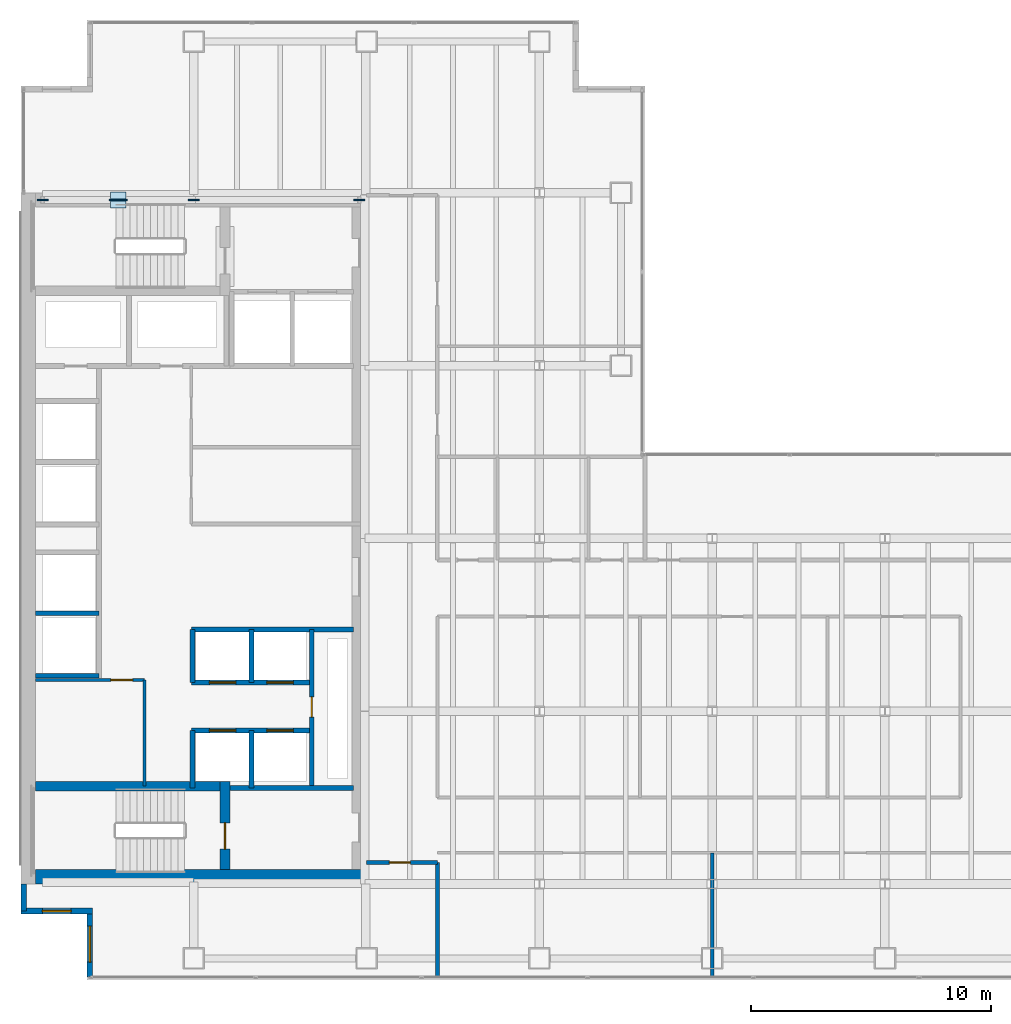
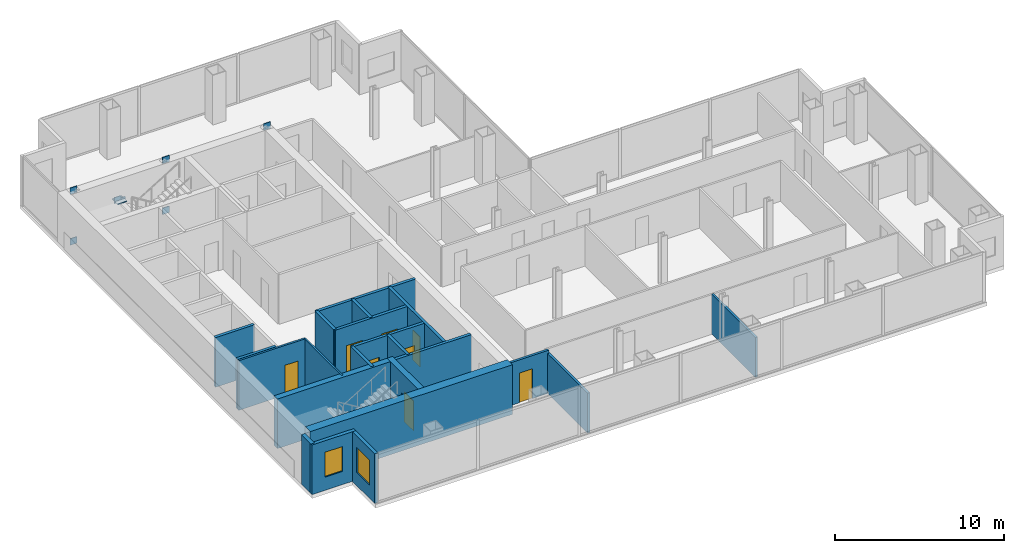
# One storey, part 20 of 24: 22 walls, 8 doors, 8 plates, 2 windows, 10 openings.
"""IFC4 building model written with IfcOpenShell, lengths in metres."""

from ifc_helpers import new_model, si_unit, direction, frame, frame_2d, origin, origin_2d, place, context, subcontext, project, spatial, rectangle, extrude, material, layer, layer_set, type_object, element, fill, save


model = new_model("IFC4")

# Units and contexts
model_context = context("Model", 3, precision=1e-05, world=origin(), true_north=direction((0.0, 1.0)))
body_context = subcontext(model_context, "Body", "Model", "MODEL_VIEW")
ifc_project = project(units=[si_unit("LENGTHUNIT", "METRE"), si_unit("AREAUNIT", "SQUARE_METRE"), si_unit("VOLUMEUNIT", "CUBIC_METRE"), si_unit("PLANEANGLEUNIT", "RADIAN"), si_unit("MASSUNIT", "GRAM", prefix="KILO")], contexts=[model_context])

# Site, building, storey
site_placement = place(None, origin())
site = spatial("IfcSite", under=ifc_project, at=site_placement, CompositionType="ELEMENT")
building_placement = place(site_placement, origin())
building = spatial("IfcBuilding", under=site, at=building_placement, Name="Cobrela Telecom Tower", CompositionType="ELEMENT")
storey_placement = place(building_placement, frame((0.0, 0.0, 121.449951171875)))
storey = spatial("IfcBuildingStorey", under=building, at=storey_placement, Name="L30", CompositionType="ELEMENT", Elevation=121.449951171875)

# Plates
ifc_material_1 = material(Name="Steel ASTM A572 Grade 50", Category="steel")
ifc_layer_1 = layer(ifc_material_1, 0.0419921875)
ifc_layer_set_1 = layer_set([ifc_layer_1], Name="Steel ASTM A572 Grade 50")
plate_type = type_object("IfcPlateType", Name="PLT-NODE-ND1", PredefinedType="USERDEFINED", material=ifc_layer_set_1)
for number, where, z_axis, x_axis, name in (
    (1, (0.89990234375, 35.699951171875, -0.27001953125), (0.0, 0.0, 1.0), (1.0, 0.0, 0.0), "Steel node plate PLT-MBR-EXO-L30-N1-A-0"),
    (2, (7.199951171875, 35.699951171875, 3.39013671875), (0.0, 0.0, 1.0), (1.0, 0.0, 0.0), "Steel node plate PLT-MBR-EXO-L30-N1-A-1"),
    (3, (7.199951171875, 35.699951171875, -0.27001953125), (0.0, 0.0, 1.0), (-1.0, 0.0, 0.0), "Steel node plate PLT-MBR-EXO-L30-N1-B1-0"),
    (4, (4.1953125, 35.699951171875, 1.4755859375), (0.0, 0.0, 1.0), (-1.0, 0.0, 0.0), "Steel node plate PLT-MBR-EXO-L30-N1-B1-1"),
    (5, (3.90478515625, 35.699951171875, 1.64453125), (0.0, 0.0, 1.0), (-1.0, 0.0, 0.0), "Steel node plate PLT-MBR-EXO-L30-N1-B2-0"),
    (6, (0.89990234375, 35.699951171875, 3.39013671875), (0.0, 0.0, 1.0), (-1.0, 0.0, 0.0), "Steel node plate PLT-MBR-EXO-L30-N1-B2-1"),
):
    element("IfcPlate", number, at=place(storey_placement, frame(where, z_axis=z_axis, x_axis=x_axis)), inside=storey, type_object=plate_type, Name=name, ObjectType="GUSSET PLATE", PredefinedType="USERDEFINED", context=body_context, shape_type="SweptSolid", body=[
        extrude(rectangle(XDim=0.4599609375, YDim=0.044921875, at=origin_2d()), origin(), (0.0, 0.0, 1.0), 0.4599609375),
    ])
plate_1_placement = place(storey_placement, frame((4.050048828125, 35.699951171875, 1.767578125), z_axis=(0.0, 0.0, 1.0), x_axis=(1.0, 0.0, 0.0)))
element("IfcPlate", 7, at=plate_1_placement, inside=storey, type_object=plate_type, Name="L30 Core Flange Steel X-Brace Central X-Crossing Gusset Plate", ObjectType="GUSSET PLATE", PredefinedType="USERDEFINED", context=body_context, shape_type="SweptSolid", body=[
    extrude(rectangle(XDim=0.64990234375, YDim=0.64990234375, at=origin_2d()), origin(), (0.0, 0.0, 1.0), 0.044921875),
])
plate_2_placement = place(storey_placement, frame((14.10009765625, 35.699951171875, 3.39013671875), z_axis=(0.0, 0.0, 1.0), x_axis=(1.0, 0.0, 0.0)))
element("IfcPlate", 8, at=plate_2_placement, inside=storey, type_object=plate_type, Name="Steel node plate PLT-MBR-EXO-L30-N2-1", ObjectType="GUSSET PLATE", PredefinedType="USERDEFINED", context=body_context, shape_type="SweptSolid", body=[
    extrude(rectangle(XDim=0.4599609375, YDim=0.044921875, at=origin_2d()), origin(), (0.0, 0.0, 1.0), 0.4599609375),
])

# Wall
ifc_material_2 = material(Name="Concrete C50/60", Category="concrete")
ifc_layer_2 = layer(ifc_material_2, 0.60009765625)
ifc_layer_set_2 = layer_set([ifc_layer_2], Name="Concrete C50/60")
wall_type_1 = type_object("IfcWallType", Name="WALL-CORE-C50-600", PredefinedType="SHEAR", material=ifc_layer_set_2)
wall_1_placement = place(storey_placement, frame((0.60009765625, 7.5, 0.0), z_axis=(0.0, 0.0, 1.0), x_axis=(1.0, 0.0, 0.0)))
element("IfcWall", 9, at=wall_1_placement, inside=storey, type_object=wall_type_1, Name="L30 South Core Shear Wall", PredefinedType="SHEAR", context=body_context, shape_type="SweptSolid", body=[
    extrude(rectangle(XDim=13.7998046875, YDim=0.60009765625, at=frame_2d((6.89990234375, 0.0))), origin(), (0.0, 0.0, 1.0), 3.580078125),
])

# Wall, opening, window
ifc_material_3 = material(Name="Concrete C40/50", Category="concrete")
ifc_layer_3 = layer(ifc_material_3, 0.239990234375)
ifc_layer_set_3 = layer_set([ifc_layer_3], Name="Concrete C40/50")
wall_type_2 = type_object("IfcWallType", Name="WALL-EXT-300", PredefinedType="STANDARD", material=ifc_layer_set_3)
wall_2_placement = place(storey_placement, frame((2.8701171875, 3.320068359375, 0.0), z_axis=(0.0, 0.0, 1.0), x_axis=(0.0, 1.0, 0.0)))
wall_2 = element("IfcWall", 10, at=wall_2_placement, inside=storey, type_object=wall_type_2, Name="L30 Insulated Facade Wall 01", PredefinedType="STANDARD", context=body_context, shape_type="SweptSolid", body=[
    extrude(rectangle(XDim=2.75, YDim=0.239990234375, at=frame_2d((1.375, 0.0))), origin(), (0.0, 0.0, 1.0), 3.580078125),
])
opening_1_placement = place(wall_2_placement, frame((0.625, 0.0, 0.949951171875)))
opening_1 = element("IfcOpeningElement", 11, at=opening_1_placement, cuts=wall_2, Name="Opening WN-45", PredefinedType="OPENING", context=body_context, shape_type="SweptSolid", body=[
    extrude(rectangle(XDim=1.5, YDim=1.800048828125, at=frame_2d((0.75, 0.89990234375))), frame((0.0, 0.1318359375, 0.0), z_axis=(0.0, -1.0, 0.0), x_axis=(1.0, 0.0, 0.0)), (0.0, 0.0, 1.0), 0.263916015625),
])
ifc_material_4 = material(Name="Solar-Control Bronze Low-E Glass", Category="glass")
window_type_1 = type_object("IfcWindowType", Name="WIN-MOD-1500", PartitioningType="SINGLE_PANEL", PredefinedType="WINDOW", material=ifc_material_4)
window_1_placement = place(opening_1_placement, origin())
window_1 = element("IfcWindow", 12, at=window_1_placement, inside=storey, type_object=window_type_1, Name="L30 Corner Notch Facade Window 140", OverallHeight=1.800048828125, OverallWidth=1.5, PartitioningType="SINGLE_PANEL", PredefinedType="WINDOW", context=body_context, shape_type="SweptSolid", body=[
    extrude(rectangle(XDim=1.5, YDim=1.800048828125, at=frame_2d((0.75, 0.89990234375))), frame((0.0, 0.030029296875, 0.0), z_axis=(0.0, -1.0, 0.0), x_axis=(1.0, 0.0, 0.0)), (0.0, 0.0, 1.0), 0.06005859375),
])
fill(opening_1, window_1)

wall_3_placement = place(storey_placement, frame((2.989990234375, 6.070068359375, 0.0), z_axis=(0.0, 0.0, 1.0), x_axis=(-1.0, 0.0, 0.0)))
wall_3 = element("IfcWall", 13, at=wall_3_placement, inside=storey, type_object=wall_type_2, Name="L30 Insulated Facade Wall 02", PredefinedType="STANDARD", context=body_context, shape_type="SweptSolid", body=[
    extrude(rectangle(XDim=2.989990234375, YDim=0.239990234375, at=frame_2d((1.4951171875, 0.0))), origin(), (0.0, 0.0, 1.0), 3.580078125),
])
opening_2_placement = place(wall_3_placement, frame((0.89501953125, 0.0, 0.949951171875)))
opening_2 = element("IfcOpeningElement", 14, at=opening_2_placement, cuts=wall_3, Name="Opening WN-19", PredefinedType="OPENING", context=body_context, shape_type="SweptSolid", body=[
    extrude(rectangle(XDim=1.199951171875, YDim=1.800048828125, at=frame_2d((0.60009765625, 0.89990234375))), frame((0.0, 0.1318359375, 0.0), z_axis=(0.0, -1.0, 0.0), x_axis=(1.0, 0.0, 0.0)), (0.0, 0.0, 1.0), 0.263916015625),
])
window_type_2 = type_object("IfcWindowType", Name="WIN-MOD-1200", PartitioningType="SINGLE_PANEL", PredefinedType="WINDOW", material=ifc_material_4)
window_2_placement = place(opening_2_placement, origin())
window_2 = element("IfcWindow", 15, at=window_2_placement, inside=storey, type_object=window_type_2, Name="L30 Corner Notch Facade Window 141", OverallHeight=1.800048828125, OverallWidth=1.199951171875, PartitioningType="SINGLE_PANEL", PredefinedType="WINDOW", context=body_context, shape_type="SweptSolid", body=[
    extrude(rectangle(XDim=1.199951171875, YDim=1.800048828125, at=frame_2d((0.60009765625, 0.89990234375))), frame((0.0, 0.030029296875, 0.0), z_axis=(0.0, -1.0, 0.0), x_axis=(1.0, 0.0, 0.0)), (0.0, 0.0, 1.0), 0.06005859375),
])
fill(opening_2, window_2)

# Walls
wall_4_placement = place(storey_placement, frame((0.1201171875, 6.070068359375, 0.0), z_axis=(0.0, 0.0, 1.0), x_axis=(0.0, 1.0, 0.0)))
element("IfcWall", 16, at=wall_4_placement, inside=storey, type_object=wall_type_2, Name="L30 Insulated Facade Wall 03", PredefinedType="STANDARD", context=body_context, shape_type="SweptSolid", body=[
    extrude(rectangle(XDim=1.1298828125, YDim=0.239990234375, at=frame_2d((0.56494140625, 0.0))), origin(), (0.0, 0.0, 1.0), 3.580078125),
])
ifc_material_5 = material(Name="Fire-Rated Gypsum Plasterboard")
ifc_layer_4 = layer(ifc_material_5, 0.110107421875)
ifc_layer_set_4 = layer_set([ifc_layer_4], Name="Fire-Rated Gypsum Plasterboard")
wall_type_3 = type_object("IfcWallType", Name="WALL-PART-110", PredefinedType="PARTITIONING", material=ifc_layer_set_4)
wall_5_placement = place(storey_placement, frame((5.14990234375, 11.280029296875, 0.0), z_axis=(0.0, 0.0, 1.0), x_axis=(0.0, 1.0, 0.0)))
element("IfcWall", 17, at=wall_5_placement, inside=storey, type_object=wall_type_3, Name="L30 Interior Partition CW-FLEX-E", PredefinedType="PARTITIONING", context=body_context, shape_type="SweptSolid", body=[
    extrude(rectangle(XDim=4.419921875, YDim=0.110107421875, at=frame_2d((2.2099609375, 0.0))), origin(), (0.0, 0.0, 1.0), 3.580078125),
])

# Wall, opening, door
ifc_layer_5 = layer(ifc_material_5, 0.135009765625)
ifc_layer_set_5 = layer_set([ifc_layer_5], Name="Fire-Rated Gypsum Plasterboard")
wall_type_4 = type_object("IfcWallType", Name="WALL-PART-135", PredefinedType="PARTITIONING", material=ifc_layer_set_5)
wall_6_placement = place(storey_placement, frame((0.60009765625, 15.699951171875, 0.0), z_axis=(0.0, 0.0, 1.0), x_axis=(1.0, 0.0, 0.0)))
wall_6 = element("IfcWall", 18, at=wall_6_placement, inside=storey, type_object=wall_type_4, Name="L30 Interior Partition CW-FLEX-N", PredefinedType="PARTITIONING", context=body_context, shape_type="SweptSolid", body=[
    extrude(rectangle(XDim=4.5498046875, YDim=0.135009765625, at=frame_2d((2.27490234375, 0.0))), origin(), (0.0, 0.0, 1.0), 3.580078125),
])
opening_3_placement = place(wall_6_placement, frame((3.14990234375, 0.0, 0.0)))
opening_3 = element("IfcOpeningElement", 19, at=opening_3_placement, cuts=wall_6, Name="Opening DR-41", PredefinedType="OPENING", context=body_context, shape_type="SweptSolid", body=[
    extrude(rectangle(XDim=0.89990234375, YDim=2.14990234375, at=frame_2d((0.449951171875, 1.074951171875))), frame((0.0, 0.07958984375, 0.0), z_axis=(0.0, -1.0, 0.0), x_axis=(1.0, 0.0, 0.0)), (0.0, 0.0, 1.0), 0.158935546875),
])
ifc_material_6 = material(Name="Solid Engineered Oak Timber", Category="wood")
door_type_1 = type_object("IfcDoorType", Name="DOOR-INT-900", OperationType="SINGLE_SWING_LEFT", PredefinedType="DOOR", material=ifc_material_6)
door_1_placement = place(opening_3_placement, origin())
door_1 = element("IfcDoor", 20, at=door_1_placement, inside=storey, type_object=door_type_1, Name="L30 Door DR-41", OperationType="SINGLE_SWING_LEFT", OverallHeight=2.14990234375, OverallWidth=0.89990234375, PredefinedType="DOOR", context=body_context, shape_type="SweptSolid", body=[
    extrude(rectangle(XDim=0.89990234375, YDim=2.14990234375, at=frame_2d((0.449951171875, 1.074951171875))), frame((0.0, 0.02490234375, 0.0), z_axis=(0.0, -1.0, 0.0), x_axis=(1.0, 0.0, 0.0)), (0.0, 0.0, 1.0), 0.050048828125),
])
fill(opening_3, door_1)

# Wall
ifc_layer_6 = layer(ifc_material_5, 0.14990234375)
ifc_layer_set_6 = layer_set([ifc_layer_6], Name="Fire-Rated Gypsum Plasterboard")
wall_type_5 = type_object("IfcWallType", Name="WALL-PART-150", PredefinedType="PARTITIONING", material=ifc_layer_set_6)
wall_7_placement = place(storey_placement, frame((28.800048828125, 3.320068359375, 0.0), z_axis=(0.0, 0.0, 1.0), x_axis=(0.0, 1.0, 0.0)))
element("IfcWall", 21, at=wall_7_placement, inside=storey, type_object=wall_type_5, Name="L30 Interior Partition W-USV-1", PredefinedType="PARTITIONING", context=body_context, shape_type="SweptSolid", body=[
    extrude(rectangle(XDim=5.179931640625, YDim=0.14990234375, at=frame_2d((2.58984375, 0.0))), origin(), (0.0, 0.0, 1.0), 2.869140625),
])

# Wall, opening, door
ifc_layer_7 = layer(ifc_material_5, 0.159912109375)
ifc_layer_set_7 = layer_set([ifc_layer_7], Name="Fire-Rated Gypsum Plasterboard")
wall_type_6 = type_object("IfcWallType", Name="WALL-PART-160", PredefinedType="PARTITIONING", material=ifc_layer_set_7)
wall_8_placement = place(storey_placement, frame((14.39990234375, 8.10009765625, 0.0), z_axis=(0.0, 0.0, 1.0), x_axis=(1.0, 0.0, 0.0)))
wall_8 = element("IfcWall", 22, at=wall_8_placement, inside=storey, type_object=wall_type_6, Name="L30 Interior Partition W-UW-S0", PredefinedType="PARTITIONING", context=body_context, shape_type="SweptSolid", body=[
    extrude(rectangle(XDim=2.9501953125, YDim=0.159912109375, at=frame_2d((1.47509765625, 0.0))), origin(), (0.0, 0.0, 1.0), 3.09814453125),
])
opening_4_placement = place(wall_8_placement, frame((0.949951171875, 0.0, 0.0)))
opening_4 = element("IfcOpeningElement", 23, at=opening_4_placement, cuts=wall_8, Name="Opening DR-39", PredefinedType="OPENING", context=body_context, shape_type="SweptSolid", body=[
    extrude(rectangle(XDim=0.8798828125, YDim=2.14990234375, at=frame_2d((0.43994140625, 1.074951171875))), frame((0.0, 0.091796875, 0.0), z_axis=(0.0, -1.0, 0.0), x_axis=(1.0, 0.0, 0.0)), (0.0, 0.0, 1.0), 0.183837890625),
])
door_type_2 = type_object("IfcDoorType", Name="DOOR-INT-880", OperationType="SINGLE_SWING_LEFT", PredefinedType="DOOR", material=ifc_material_6)
door_2_placement = place(opening_4_placement, origin())
door_2 = element("IfcDoor", 24, at=door_2_placement, inside=storey, type_object=door_type_2, Name="L30 Door DR-39", OperationType="SINGLE_SWING_RIGHT", OverallHeight=2.14990234375, OverallWidth=0.8798828125, PredefinedType="DOOR", context=body_context, shape_type="SweptSolid", body=[
    extrude(rectangle(XDim=0.8798828125, YDim=2.14990234375, at=frame_2d((0.43994140625, 1.074951171875))), frame((0.0, 0.02490234375, 0.0), z_axis=(0.0, -1.0, 0.0), x_axis=(1.0, 0.0, 0.0)), (0.0, 0.0, 1.0), 0.050048828125),
])
fill(opening_4, door_2)

# Walls
wall_9_placement = place(storey_placement, frame((17.35009765625, 3.320068359375, 0.0), z_axis=(0.0, 0.0, 1.0), x_axis=(0.0, 1.0, 0.0)))
element("IfcWall", 25, at=wall_9_placement, inside=storey, type_object=wall_type_6, Name="L30 Interior Partition W-USW-E", PredefinedType="PARTITIONING", context=body_context, shape_type="SweptSolid", body=[
    extrude(rectangle(XDim=4.780029296875, YDim=0.159912109375, at=frame_2d((2.39013671875, 0.0))), origin(), (0.0, 0.0, 1.0), 2.869140625),
])
ifc_layer_8 = layer(ifc_material_5, 0.199951171875)
ifc_layer_set_8 = layer_set([ifc_layer_8], Name="Fire-Rated Gypsum Plasterboard")
wall_type_7 = type_object("IfcWallType", Name="WALL-SHAFT-200", PredefinedType="PARTITIONING", material=ifc_layer_set_8)
wall_10_placement = place(storey_placement, frame((8.699951171875, 11.199951171875, 0.0), z_axis=(0.0, 0.0, 1.0), x_axis=(1.0, 0.0, 0.0)))
element("IfcWall", 26, at=wall_10_placement, inside=storey, type_object=wall_type_7, Name="L30 Shaft Enclosure CW-ST2L-N", PredefinedType="PARTITIONING", context=body_context, shape_type="SweptSolid", body=[
    extrude(rectangle(XDim=5.150146484375, YDim=0.199951171875, at=frame_2d((2.5751953125, 0.0))), origin(), (0.0, 0.0, 1.0), 3.580078125),
])
for number, where, z_axis, x_axis, name in (
    (27, (0.60009765625, 15.8798828125, 0.0), (0.0, 0.0, 1.0), (1.0, 0.0, 0.0), "L30 Shaft Enclosure CW-PLH-D9"),
    (28, (0.60009765625, 18.47998046875, 0.0), (0.0, 0.0, 1.0), (1.0, 0.0, 0.0), "L30 Shaft Enclosure CW-PLH-D10"),
):
    element("IfcWall", number, at=place(storey_placement, frame(where, z_axis=z_axis, x_axis=x_axis)), inside=storey, type_object=wall_type_7, Name=name, PredefinedType="PARTITIONING", context=body_context, shape_type="SweptSolid", body=[
        extrude(rectangle(XDim=2.64990234375, YDim=0.199951171875, at=frame_2d((1.324951171875, 0.0))), origin(), (0.0, 0.0, 1.0), 3.580078125),
    ])
wall_11_placement = place(storey_placement, frame((7.10009765625, 17.800048828125, 0.0), z_axis=(0.0, 0.0, 1.0), x_axis=(1.0, 0.0, 0.0)))
element("IfcWall", 29, at=wall_11_placement, inside=storey, type_object=wall_type_7, Name="L30 Shaft Enclosure CW-PLM-T0", PredefinedType="PARTITIONING", context=body_context, shape_type="SweptSolid", body=[
    extrude(rectangle(XDim=6.75, YDim=0.199951171875, at=frame_2d((3.375, 0.0))), origin(), (0.0, 0.0, 1.0), 3.580078125),
])

# Wall, openings, doors
wall_12_placement = place(storey_placement, frame((7.10009765625, 15.60009765625, 0.0), z_axis=(0.0, 0.0, 1.0), x_axis=(1.0, 0.0, 0.0)))
wall_12 = element("IfcWall", 30, at=wall_12_placement, inside=storey, type_object=wall_type_7, Name="L30 Shaft Enclosure CW-PLM-N", PredefinedType="PARTITIONING", context=body_context, shape_type="SweptSolid", body=[
    extrude(rectangle(XDim=5.02001953125, YDim=0.199951171875, at=frame_2d((2.510009765625, 0.0))), origin(), (0.0, 0.0, 1.0), 3.580078125),
])
opening_5_placement = place(wall_12_placement, frame((0.75, 0.0, 0.0)))
opening_5 = element("IfcOpeningElement", 31, at=opening_5_placement, cuts=wall_12, Name="Opening LD-1", PredefinedType="OPENING", context=body_context, shape_type="SweptSolid", body=[
    extrude(rectangle(XDim=1.10009765625, YDim=2.199951171875, at=frame_2d((0.550048828125, 1.10009765625))), frame((0.0, 0.11181640625, 0.0), z_axis=(0.0, -1.0, 0.0), x_axis=(1.0, 0.0, 0.0)), (0.0, 0.0, 1.0), 0.223876953125),
])
opening_6_placement = place(wall_12_placement, frame((3.14990234375, 0.0, 0.0)))
opening_6 = element("IfcOpeningElement", 32, at=opening_6_placement, cuts=wall_12, Name="Opening LD-1", PredefinedType="OPENING", context=body_context, shape_type="SweptSolid", body=[
    extrude(rectangle(XDim=1.10009765625, YDim=2.199951171875, at=frame_2d((0.550048828125, 1.10009765625))), frame((0.0, 0.11181640625, 0.0), z_axis=(0.0, -1.0, 0.0), x_axis=(1.0, 0.0, 0.0)), (0.0, 0.0, 1.0), 0.223876953125),
])
ifc_material_7 = material(Name="Steel ASTM A36", Category="steel")
door_type_3 = type_object("IfcDoorType", Name="DOOR-LD-PL", OperationType="SINGLE_SWING_LEFT", PredefinedType="DOOR", material=ifc_material_7)
door_3_placement = place(opening_5_placement, origin())
door_3 = element("IfcDoor", 33, at=door_3_placement, inside=storey, type_object=door_type_3, Name="L30 Lift Landing Door LD-1", OperationType="DOUBLE_DOOR_SLIDING", OverallHeight=2.199951171875, OverallWidth=1.10009765625, PredefinedType="DOOR", context=body_context, shape_type="SweptSolid", body=[
    extrude(rectangle(XDim=1.10009765625, YDim=2.199951171875, at=frame_2d((0.550048828125, 1.10009765625))), frame((0.0, 0.02490234375, 0.0), z_axis=(0.0, -1.0, 0.0), x_axis=(1.0, 0.0, 0.0)), (0.0, 0.0, 1.0), 0.050048828125),
])
fill(opening_5, door_3)
door_4_placement = place(opening_6_placement, origin())
door_4 = element("IfcDoor", 34, at=door_4_placement, inside=storey, type_object=door_type_3, Name="L30 Lift Landing Door LD-1", OperationType="DOUBLE_DOOR_SLIDING", OverallHeight=2.199951171875, OverallWidth=1.10009765625, PredefinedType="DOOR", context=body_context, shape_type="SweptSolid", body=[
    extrude(rectangle(XDim=1.10009765625, YDim=2.199951171875, at=frame_2d((0.550048828125, 1.10009765625))), frame((0.0, 0.02490234375, 0.0), z_axis=(0.0, -1.0, 0.0), x_axis=(1.0, 0.0, 0.0)), (0.0, 0.0, 1.0), 0.050048828125),
])
fill(opening_6, door_4)

wall_13_placement = place(storey_placement, frame((7.10009765625, 13.60009765625, 0.0), z_axis=(0.0, 0.0, 1.0), x_axis=(1.0, 0.0, 0.0)))
wall_13 = element("IfcWall", 35, at=wall_13_placement, inside=storey, type_object=wall_type_7, Name="L30 Shaft Enclosure CW-PLM-S", PredefinedType="PARTITIONING", context=body_context, shape_type="SweptSolid", body=[
    extrude(rectangle(XDim=5.02001953125, YDim=0.199951171875, at=frame_2d((2.510009765625, 0.0))), origin(), (0.0, 0.0, 1.0), 3.580078125),
])
opening_7_placement = place(wall_13_placement, frame((0.75, 0.0, 0.0)))
opening_7 = element("IfcOpeningElement", 36, at=opening_7_placement, cuts=wall_13, Name="Opening LD-1", PredefinedType="OPENING", context=body_context, shape_type="SweptSolid", body=[
    extrude(rectangle(XDim=1.10009765625, YDim=2.199951171875, at=frame_2d((0.550048828125, 1.10009765625))), frame((0.0, 0.11181640625, 0.0), z_axis=(0.0, -1.0, 0.0), x_axis=(1.0, 0.0, 0.0)), (0.0, 0.0, 1.0), 0.223876953125),
])
opening_8_placement = place(wall_13_placement, frame((3.14990234375, 0.0, 0.0)))
opening_8 = element("IfcOpeningElement", 37, at=opening_8_placement, cuts=wall_13, Name="Opening LD-1", PredefinedType="OPENING", context=body_context, shape_type="SweptSolid", body=[
    extrude(rectangle(XDim=1.10009765625, YDim=2.199951171875, at=frame_2d((0.550048828125, 1.10009765625))), frame((0.0, 0.11181640625, 0.0), z_axis=(0.0, -1.0, 0.0), x_axis=(1.0, 0.0, 0.0)), (0.0, 0.0, 1.0), 0.223876953125),
])
door_5_placement = place(opening_7_placement, origin())
door_5 = element("IfcDoor", 38, at=door_5_placement, inside=storey, type_object=door_type_3, Name="L30 Lift Landing Door LD-1", OperationType="DOUBLE_DOOR_SLIDING", OverallHeight=2.199951171875, OverallWidth=1.10009765625, PredefinedType="DOOR", context=body_context, shape_type="SweptSolid", body=[
    extrude(rectangle(XDim=1.10009765625, YDim=2.199951171875, at=frame_2d((0.550048828125, 1.10009765625))), frame((0.0, 0.02490234375, 0.0), z_axis=(0.0, -1.0, 0.0), x_axis=(1.0, 0.0, 0.0)), (0.0, 0.0, 1.0), 0.050048828125),
])
fill(opening_7, door_5)
door_6_placement = place(opening_8_placement, origin())
door_6 = element("IfcDoor", 39, at=door_6_placement, inside=storey, type_object=door_type_3, Name="L30 Lift Landing Door LD-1", OperationType="DOUBLE_DOOR_SLIDING", OverallHeight=2.199951171875, OverallWidth=1.10009765625, PredefinedType="DOOR", context=body_context, shape_type="SweptSolid", body=[
    extrude(rectangle(XDim=1.10009765625, YDim=2.199951171875, at=frame_2d((0.550048828125, 1.10009765625))), frame((0.0, 0.02490234375, 0.0), z_axis=(0.0, -1.0, 0.0), x_axis=(1.0, 0.0, 0.0)), (0.0, 0.0, 1.0), 0.050048828125),
])
fill(opening_8, door_6)

# Walls
wall_14_placement = place(storey_placement, frame((7.14990234375, 15.60009765625, 0.0), z_axis=(0.0, 0.0, 1.0), x_axis=(0.0, 1.0, 0.0)))
element("IfcWall", 40, at=wall_14_placement, inside=storey, type_object=wall_type_7, Name="L30 Shaft Enclosure CW-PLM-V1", PredefinedType="PARTITIONING", context=body_context, shape_type="SweptSolid", body=[
    extrude(rectangle(XDim=2.199951171875, YDim=0.199951171875, at=frame_2d((1.10009765625, 0.0))), origin(), (0.0, 0.0, 1.0), 3.580078125),
])
wall_15_placement = place(storey_placement, frame((7.14990234375, 11.199951171875, 0.0), z_axis=(0.0, 0.0, 1.0), x_axis=(0.0, 1.0, 0.0)))
element("IfcWall", 41, at=wall_15_placement, inside=storey, type_object=wall_type_7, Name="L30 Shaft Enclosure CW-PLM-V1B", PredefinedType="PARTITIONING", context=body_context, shape_type="SweptSolid", body=[
    extrude(rectangle(XDim=2.400146484375, YDim=0.199951171875, at=frame_2d((1.2001953125, 0.0))), origin(), (0.0, 0.0, 1.0), 3.580078125),
])
wall_16_placement = place(storey_placement, frame((9.60009765625, 15.60009765625, 0.0), z_axis=(0.0, 0.0, 1.0), x_axis=(0.0, 1.0, 0.0)))
element("IfcWall", 42, at=wall_16_placement, inside=storey, type_object=wall_type_7, Name="L30 Shaft Enclosure CW-PLM-V2", PredefinedType="PARTITIONING", context=body_context, shape_type="SweptSolid", body=[
    extrude(rectangle(XDim=2.199951171875, YDim=0.199951171875, at=frame_2d((1.10009765625, 0.0))), origin(), (0.0, 0.0, 1.0), 3.580078125),
])
wall_17_placement = place(storey_placement, frame((9.60009765625, 11.199951171875, 0.0), z_axis=(0.0, 0.0, 1.0), x_axis=(0.0, 1.0, 0.0)))
element("IfcWall", 43, at=wall_17_placement, inside=storey, type_object=wall_type_7, Name="L30 Shaft Enclosure CW-PLM-V2B", PredefinedType="PARTITIONING", context=body_context, shape_type="SweptSolid", body=[
    extrude(rectangle(XDim=2.400146484375, YDim=0.199951171875, at=frame_2d((1.2001953125, 0.0))), origin(), (0.0, 0.0, 1.0), 3.580078125),
])

# Wall, opening, door
wall_18_placement = place(storey_placement, frame((12.1201171875, 11.199951171875, 0.0), z_axis=(0.0, 0.0, 1.0), x_axis=(0.0, 1.0, 0.0)))
wall_18 = element("IfcWall", 44, at=wall_18_placement, inside=storey, type_object=wall_type_7, Name="L30 Shaft Enclosure CW-PLM-V3", PredefinedType="PARTITIONING", context=body_context, shape_type="SweptSolid", body=[
    extrude(rectangle(XDim=6.60009765625, YDim=0.199951171875, at=frame_2d((3.300048828125, 0.0))), origin(), (0.0, 0.0, 1.0), 3.580078125),
])
opening_9_placement = place(wall_18_placement, frame((2.949951171875, 0.0, 0.0)))
opening_9 = element("IfcOpeningElement", 45, at=opening_9_placement, cuts=wall_18, Name="Opening DR-11", PredefinedType="OPENING", context=body_context, shape_type="SweptSolid", body=[
    extrude(rectangle(XDim=0.85009765625, YDim=2.14990234375, at=frame_2d((0.425048828125, 1.074951171875))), frame((0.0, 0.11181640625, 0.0), z_axis=(0.0, -1.0, 0.0), x_axis=(1.0, 0.0, 0.0)), (0.0, 0.0, 1.0), 0.223876953125),
])
door_type_4 = type_object("IfcDoorType", Name="DOOR-INT-850", OperationType="SINGLE_SWING_LEFT", PredefinedType="DOOR", material=ifc_material_6)
door_7_placement = place(opening_9_placement, origin())
door_7 = element("IfcDoor", 46, at=door_7_placement, inside=storey, type_object=door_type_4, Name="L30 Door DR-11", OperationType="SINGLE_SWING_RIGHT", OverallHeight=2.14990234375, OverallWidth=0.85009765625, PredefinedType="DOOR", context=body_context, shape_type="SweptSolid", body=[
    extrude(rectangle(XDim=0.85009765625, YDim=2.14990234375, at=frame_2d((0.425048828125, 1.074951171875))), frame((0.0, 0.02490234375, 0.0), z_axis=(0.0, -1.0, 0.0), x_axis=(1.0, 0.0, 0.0)), (0.0, 0.0, 1.0), 0.050048828125),
])
fill(opening_9, door_7)

# Wall
ifc_layer_9 = layer(ifc_material_3, 0.39990234375)
ifc_layer_set_9 = layer_set([ifc_layer_9], Name="Concrete C40/50")
wall_type_8 = type_object("IfcWallType", Name="WALL-SHAFT-C40-400", PredefinedType="SHEAR", material=ifc_layer_set_9)
wall_19_placement = place(storey_placement, frame((0.60009765625, 11.280029296875, 0.0), z_axis=(0.0, 0.0, 1.0), x_axis=(1.0, 0.0, 0.0)))
element("IfcWall", 47, at=wall_19_placement, inside=storey, type_object=wall_type_8, Name="L30 South Stair Shear Wall", PredefinedType="SHEAR", context=body_context, shape_type="SweptSolid", body=[
    extrude(rectangle(XDim=7.699951171875, YDim=0.39990234375, at=frame_2d((3.85009765625, 0.0))), origin(), (0.0, 0.0, 1.0), 3.580078125),
])

# Wall, opening, door
wall_20_placement = place(storey_placement, frame((8.5, 7.800048828125, 0.0), z_axis=(0.0, 0.0, 1.0), x_axis=(0.0, 1.0, 0.0)))
wall_20 = element("IfcWall", 48, at=wall_20_placement, inside=storey, type_object=wall_type_8, Name="L30 South Stair Lobby Shear Wall", PredefinedType="SHEAR", context=body_context, shape_type="SweptSolid", body=[
    extrude(rectangle(XDim=3.679931640625, YDim=0.39990234375, at=frame_2d((1.83984375, 0.0))), origin(), (0.0, 0.0, 1.0), 3.580078125),
])
opening_10_placement = place(wall_20_placement, frame((0.85009765625, 0.0, 0.0)))
opening_10 = element("IfcOpeningElement", 49, at=opening_10_placement, cuts=wall_20, Name="Opening FD-90", PredefinedType="OPENING", context=body_context, shape_type="SweptSolid", body=[
    extrude(rectangle(XDim=1.10009765625, YDim=2.14990234375, at=frame_2d((0.550048828125, 1.074951171875))), frame((0.0, 0.2119140625, 0.0), z_axis=(0.0, -1.0, 0.0), x_axis=(1.0, 0.0, 0.0)), (0.0, 0.0, 1.0), 0.423828125),
])
door_type_5 = type_object("IfcDoorType", Name="DOOR-FD90-1100", OperationType="SINGLE_SWING_LEFT", PredefinedType="DOOR", material=ifc_material_7)
door_8_placement = place(opening_10_placement, origin())
door_8 = element("IfcDoor", 50, at=door_8_placement, inside=storey, type_object=door_type_5, Name="L30 Door FD-90", OperationType="SINGLE_SWING_LEFT", OverallHeight=2.14990234375, OverallWidth=1.10009765625, PredefinedType="DOOR", context=body_context, shape_type="SweptSolid", body=[
    extrude(rectangle(XDim=1.10009765625, YDim=2.14990234375, at=frame_2d((0.550048828125, 1.074951171875))), frame((0.0, 0.02490234375, 0.0), z_axis=(0.0, -1.0, 0.0), x_axis=(1.0, 0.0, 0.0)), (0.0, 0.0, 1.0), 0.050048828125),
])
fill(opening_10, door_8)

save(model, "model.ifc")
